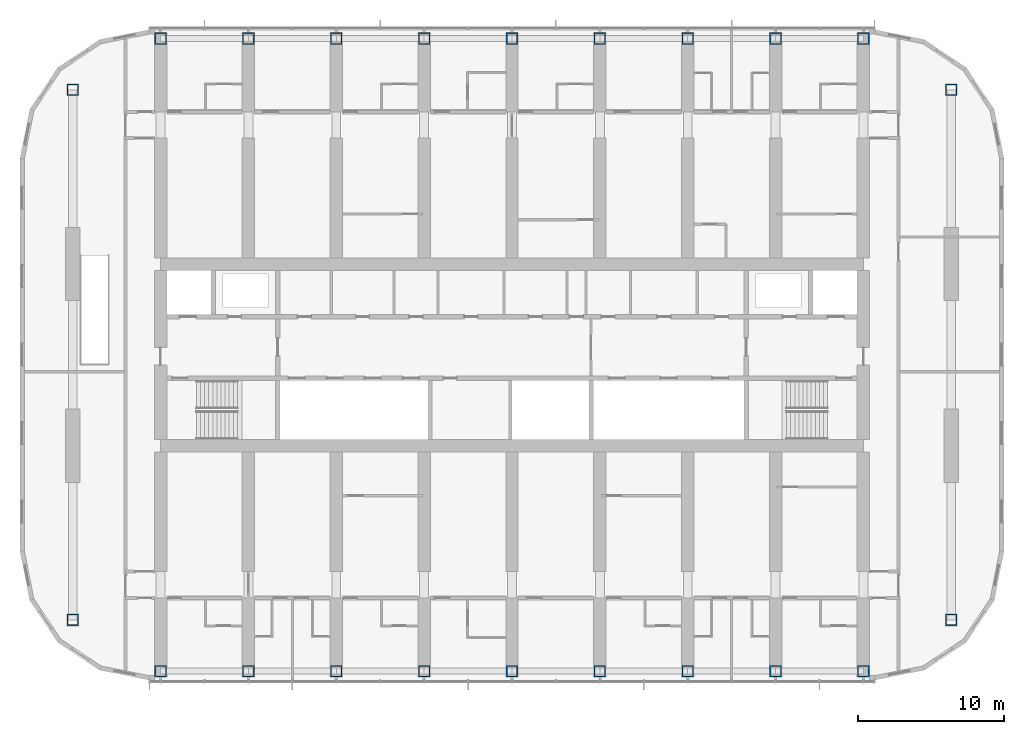
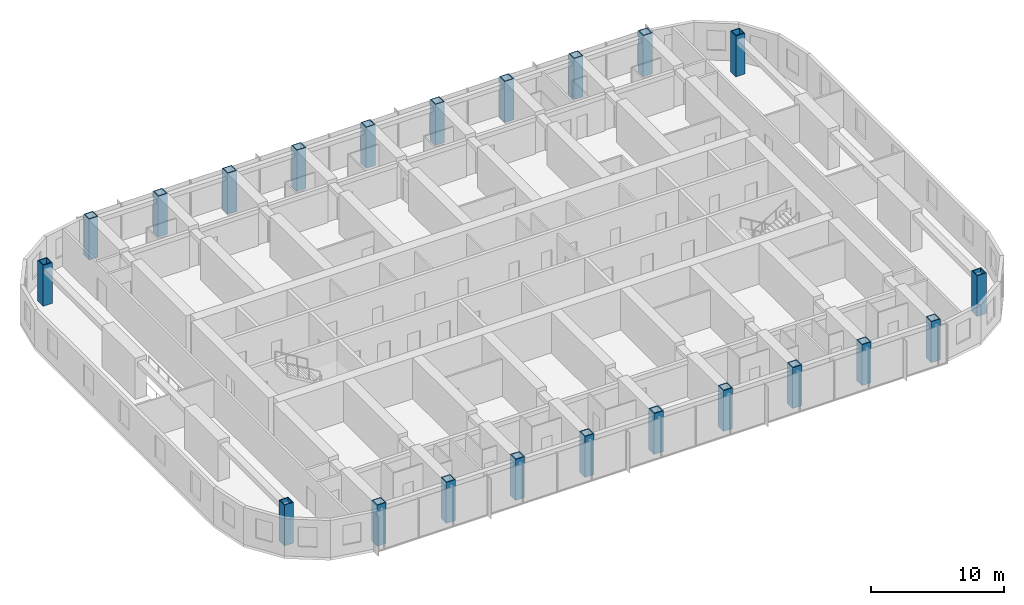
# One storey, part 1 of 22: 22 columns.
"""IFC4 building model written with IfcOpenShell, lengths in metres."""

from ifc_helpers import new_model, si_unit, direction, frame, origin, origin_2d, place, context, subcontext, project, spatial, hollow_rectangle, extrude, material, material_profile, profile_set, type_object, element, save


model = new_model("IFC4")

# Units and contexts
model_context = context("Model", 3, precision=1e-05, world=origin(), true_north=direction((0.0, 1.0)))
body_context = subcontext(model_context, "Body", "Model", "MODEL_VIEW")
ifc_project = project(units=[si_unit("LENGTHUNIT", "METRE"), si_unit("AREAUNIT", "SQUARE_METRE"), si_unit("VOLUMEUNIT", "CUBIC_METRE"), si_unit("PLANEANGLEUNIT", "RADIAN"), si_unit("MASSUNIT", "GRAM", prefix="KILO")], contexts=[model_context])

# Site, building, storey
site_placement = place(None, origin())
site = spatial("IfcSite", under=ifc_project, at=site_placement, CompositionType="ELEMENT")
building_placement = place(site_placement, origin())
building = spatial("IfcBuilding", under=site, at=building_placement, Name="Orbita Commons", CompositionType="ELEMENT")
storey_placement = place(building_placement, frame((0.0, 0.0, 197.35009765625)))
storey = spatial("IfcBuildingStorey", under=building, at=storey_placement, Name="L49", CompositionType="ELEMENT", Elevation=197.35009765625)

# Columns
ifc_material = material(Name="Steel ASTM A572 Gr 50 welded plate", Category="steel")
ifc_material_profile = material_profile(ifc_material, hollow_rectangle(XDim=0.800048828125, YDim=0.800048828125, WallThickness=0.080078125, at=origin_2d()), Name="BOX 800x800x80")
ifc_profile_set = profile_set([ifc_material_profile], Name="Steel ASTM A572 Gr 50 welded plate")
column_type = type_object("IfcColumnType", Name="Steel column BOX 800x800x80", PredefinedType="COLUMN", material=ifc_profile_set)
for number, where, z_axis, x_axis, name in (
    (1, (18.0, 10.39990234375, 0.0), (0.0, 0.0, 1.0), (1.0, 0.0, 0.0), "Column 4/B L49"),
    (2, (18.0, 53.60009765625, 0.0), (0.0, 0.0, 1.0), (1.0, 0.0, 0.0), "Column 4/E L49"),
    (3, (24.0, 10.39990234375, 0.0), (0.0, 0.0, 1.0), (1.0, 0.0, 0.0), "Column 5/B L49"),
    (4, (24.0, 53.60009765625, 0.0), (0.0, 0.0, 1.0), (1.0, 0.0, 0.0), "Column 5/E L49"),
    (5, (30.0, 10.39990234375, 0.0), (0.0, 0.0, 1.0), (1.0, 0.0, 0.0), "Column 6/B L49"),
    (6, (30.0, 53.60009765625, 0.0), (0.0, 0.0, 1.0), (1.0, 0.0, 0.0), "Column 6/E L49"),
    (7, (36.0, 10.39990234375, 0.0), (0.0, 0.0, 1.0), (1.0, 0.0, 0.0), "Column 7/B L49"),
    (8, (36.0, 53.60009765625, 0.0), (0.0, 0.0, 1.0), (1.0, 0.0, 0.0), "Column 7/E L49"),
    (9, (42.0, 10.39990234375, 0.0), (0.0, 0.0, 1.0), (1.0, 0.0, 0.0), "Column 8/B L49"),
    (10, (42.0, 53.60009765625, 0.0), (0.0, 0.0, 1.0), (1.0, 0.0, 0.0), "Column 8/E L49"),
    (11, (48.0, 10.39990234375, 0.0), (0.0, 0.0, 1.0), (1.0, 0.0, 0.0), "Column 9/B L49"),
    (12, (48.0, 53.60009765625, 0.0), (0.0, 0.0, 1.0), (1.0, 0.0, 0.0), "Column 9/E L49"),
    (13, (54.0, 10.39990234375, 0.0), (0.0, 0.0, 1.0), (1.0, 0.0, 0.0), "Column 10/B L49"),
    (14, (54.0, 53.60009765625, 0.0), (0.0, 0.0, 1.0), (1.0, 0.0, 0.0), "Column 10/E L49"),
    (15, (60.0, 10.39990234375, 0.0), (0.0, 0.0, 1.0), (1.0, 0.0, 0.0), "Column 11/B L49"),
    (16, (60.0, 53.60009765625, 0.0), (0.0, 0.0, 1.0), (1.0, 0.0, 0.0), "Column 11/E L49"),
    (17, (66.0, 10.39990234375, 0.0), (0.0, 0.0, 1.0), (1.0, 0.0, 0.0), "Column 12/B L49"),
    (18, (66.0, 53.60009765625, 0.0), (0.0, 0.0, 1.0), (1.0, 0.0, 0.0), "Column 12/E L49"),
    (19, (12.0, 13.89990234375, 0.0), (0.0, 0.0, 1.0), (1.0, 0.0, 0.0), "Column 3/13.9 L49"),
    (20, (12.0, 50.10009765625, 0.0), (0.0, 0.0, 1.0), (1.0, 0.0, 0.0), "Column 3/50.1 L49"),
    (21, (72.0, 13.89990234375, 0.0), (0.0, 0.0, 1.0), (1.0, 0.0, 0.0), "Column 13/13.9 L49"),
    (22, (72.0, 50.10009765625, 0.0), (0.0, 0.0, 1.0), (1.0, 0.0, 0.0), "Column 13/50.1 L49"),
):
    element("IfcColumn", number, at=place(storey_placement, frame(where, z_axis=z_axis, x_axis=x_axis)), inside=storey, type_object=column_type, Name=name, PredefinedType="COLUMN", context=body_context, shape_type="SweptSolid", body=[
        extrude(hollow_rectangle(XDim=0.800048828125, YDim=0.800048828125, WallThickness=0.080078125, at=origin_2d()), origin(), (0.0, 0.0, 1.0), 3.75),
    ])

save(model, "model.ifc")
